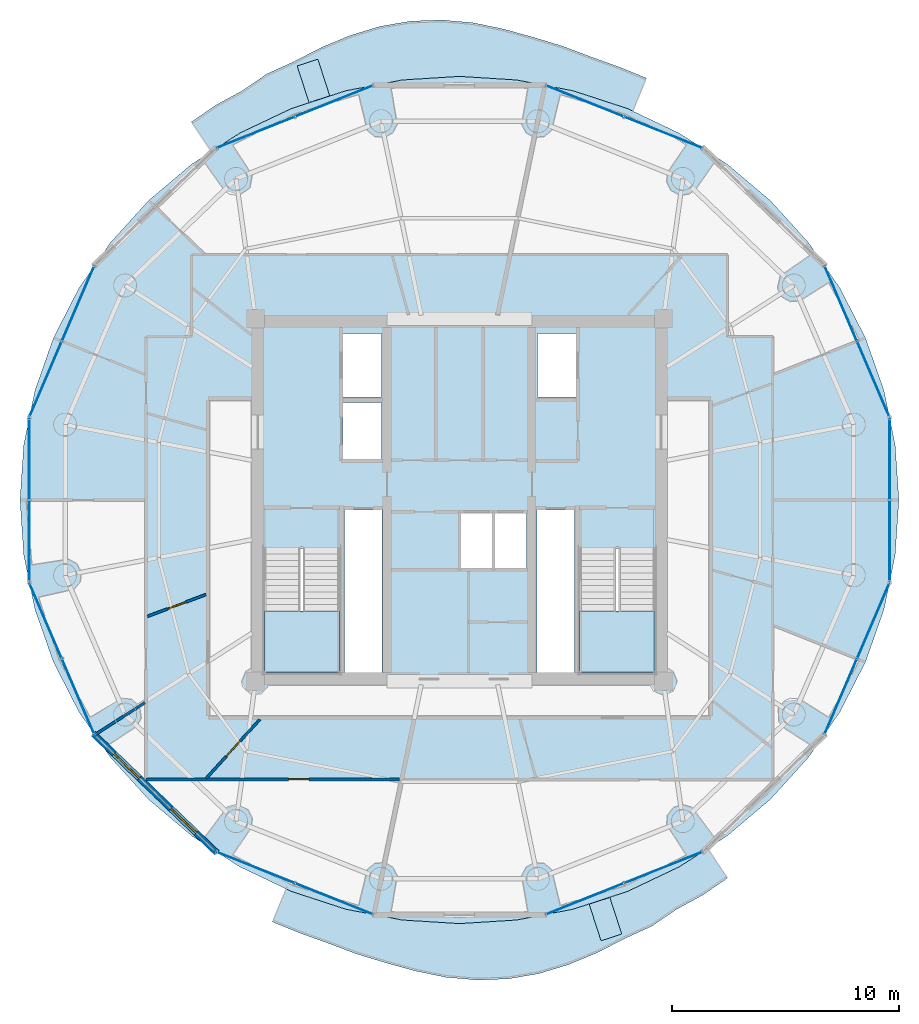
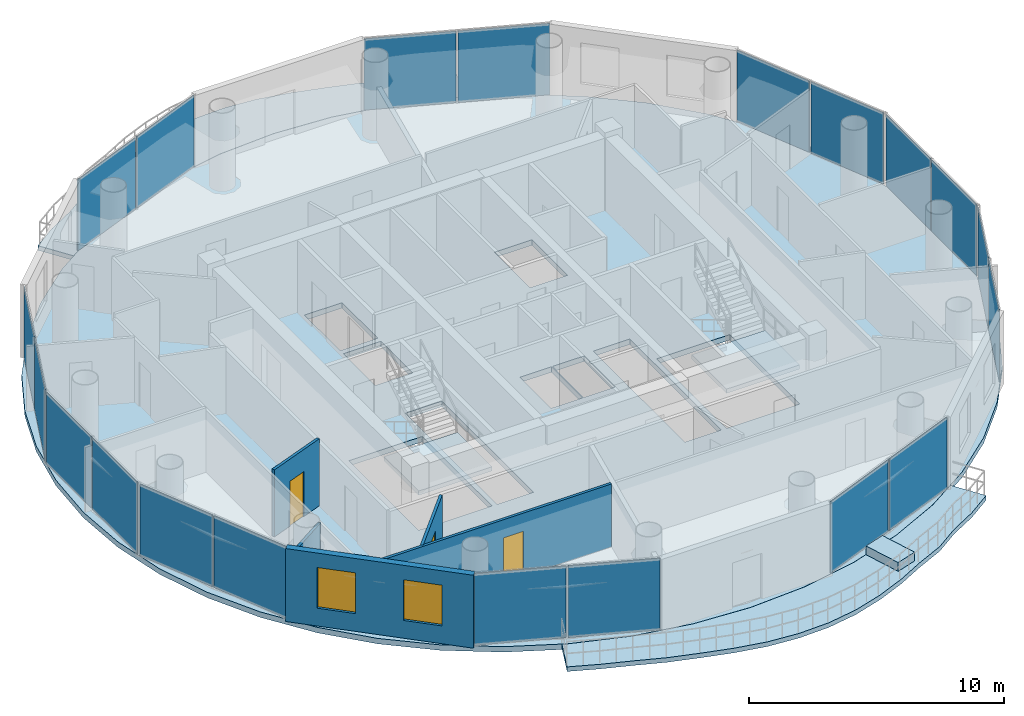
# One storey, part 13 of 21: 20 plates, 7 slabs, 5 walls, 3 doors, 2 windows, 5 openings, 12 elements without a shape of their own.
"""IFC4 building model written with IfcOpenShell, lengths in metres."""

from ifc_helpers import new_model, si_unit, direction, frame, frame_2d, origin, origin_2d, place, context, subcontext, project, spatial, polyline, rectangle, outline, extrude, source, transform, mapped, material, layer, layer_set, type_object, element, fill, aggregate, save


model = new_model("IFC4")

# Units and contexts
model_context = context("Model", 3, precision=1e-05, world=origin(), true_north=direction((-0.2419218956, 0.970295726276)))
body_context = subcontext(model_context, "Body", "Model", "MODEL_VIEW")
ifc_project = project(units=[si_unit("LENGTHUNIT", "METRE"), si_unit("AREAUNIT", "SQUARE_METRE"), si_unit("VOLUMEUNIT", "CUBIC_METRE"), si_unit("PLANEANGLEUNIT", "RADIAN"), si_unit("MASSUNIT", "GRAM", prefix="KILO")], contexts=[model_context])

# Site, building, storey
site_placement = place(None, origin())
site = spatial("IfcSite", under=ifc_project, at=site_placement, CompositionType="ELEMENT")
building_placement = place(site_placement, origin())
building = spatial("IfcBuilding", under=site, at=building_placement, Name="Cobrevalo Terracotta Tower", CompositionType="ELEMENT")
storey_placement = place(building_placement, frame((0.0, 0.0, 281.949951171875)))
storey = spatial("IfcBuildingStorey", under=building, at=storey_placement, Name="L74", CompositionType="ELEMENT", Elevation=281.949951171875)

# Stair, slab
ifc_material_1 = material(Name="Concrete C50", Category="concrete")
stair_type = type_object("IfcStairType", Name="Core protected escape dogleg stair 1600", PredefinedType="HALF_TURN_STAIR", material=ifc_material_1)
stair_1_placement = place(storey_placement, origin())
stair_1 = element("IfcStair", 1, at=stair_1_placement, inside=storey, type_object=stair_type, Name="L74 Protected exit stair ST-1", PredefinedType="HALF_TURN_STAIR")
ifc_layer_1 = layer(ifc_material_1, 0.199951171875)
ifc_layer_set_1 = layer_set([ifc_layer_1], Name="Concrete C50")
slab_type_1 = type_object("IfcSlabType", Name="Reinforced Concrete Stair Landing 200", PredefinedType="LANDING", material=ifc_layer_set_1)
slab_1_placement = place(storey_placement, frame((0.0, 0.0, 1.675048828125)))
slab_1 = element("IfcSlab", 2, at=slab_1_placement, type_object=slab_type_1, Name="ST-1 landing 1", PredefinedType="LANDING", context=body_context, shape_type="SweptSolid", body=[
    extrude(outline(polyline([(29.375, 21.89990234375), (29.375, 19.175048828125), (32.695068359375, 19.175048828125), (32.695068359375, 21.89990234375), (29.375, 21.89990234375)])), origin(), (0.0, 0.0, 1.0), 0.199951171875),
])
aggregate(stair_1, [slab_1])

stair_2_placement = place(storey_placement, origin())
stair_2 = element("IfcStair", 3, at=stair_2_placement, inside=storey, type_object=stair_type, Name="L74 Protected exit stair ST-2", PredefinedType="HALF_TURN_STAIR")
slab_2_placement = place(storey_placement, frame((0.0, 0.0, 1.675048828125)))
slab_2 = element("IfcSlab", 4, at=slab_2_placement, type_object=slab_type_1, Name="ST-2 landing 1", PredefinedType="LANDING", context=body_context, shape_type="SweptSolid", body=[
    extrude(outline(polyline([(43.304931640625, 21.89990234375), (43.304931640625, 19.175048828125), (46.625, 19.175048828125), (46.625, 21.89990234375), (43.304931640625, 21.89990234375)])), origin(), (0.0, 0.0, 1.0), 0.199951171875),
])
aggregate(stair_2, [slab_2])

# Slabs
ifc_material_2 = material(Name="Concrete C45", Category="concrete")
ifc_layer_2 = layer(ifc_material_2, 0.219970703125)
ifc_layer_set_2 = layer_set([ifc_layer_2], Name="Concrete C45")
slab_type_2 = type_object("IfcSlabType", Name="Spiralling cantilevered balcony lobe slab 220 mm", PredefinedType="FLOOR", material=ifc_layer_set_2)
slab_3_placement = place(storey_placement, frame((0.0, 0.0, -0.219970703125)))
element("IfcSlab", 5, at=slab_3_placement, inside=storey, type_object=slab_type_2, Name="L74 spiralling arc balcony slab lobe 1", PredefinedType="FLOOR", context=body_context, shape_type="SweptSolid", body=[
    extrude(outline(polyline([(46.25634765625, 45.425537109375), (45.04052734375, 45.92041015625), (43.79931640625, 46.366455078125), (42.55126953125, 46.836181640625), (41.263916015625, 47.22705078125), (39.95166015625, 47.59033203125), (38.604248046875, 47.869140625), (37.2353515625, 47.989990234375), (35.859619140625, 47.94189453125), (34.505126953125, 47.712646484375), (33.188720703125, 47.310546875), (31.923828125, 46.7890625), (30.714111328125, 46.1640625), (29.502197265625, 45.612548828125), (28.396484375, 44.857421875), (27.244140625, 44.234375), (26.1689453125, 43.4892578125), (27.03466796875, 42.18212890625), (28.299072265625, 42.996337890625), (30.5751953125, 44.078369140625), (32.978271484375, 44.86474609375), (35.467529296875, 45.342041015625), (38.0, 45.501953125), (40.532470703125, 45.342041015625), (43.021728515625, 44.86474609375), (45.4248046875, 44.078369140625), (45.653564453125, 43.9697265625), (46.25634765625, 45.425537109375)])), origin(), (0.0, 0.0, 1.0), 0.219970703125),
])
slab_4_placement = place(storey_placement, frame((0.0, 0.0, -0.219970703125)))
element("IfcSlab", 6, at=slab_4_placement, inside=storey, type_object=slab_type_2, Name="L74 spiralling arc balcony slab lobe 2", PredefinedType="FLOOR", context=body_context, shape_type="SweptSolid", body=[
    extrude(outline(polyline([(29.74365234375, 8.174560546875), (30.95947265625, 7.6796875), (32.20068359375, 7.2333984375), (33.44873046875, 6.763671875), (34.736083984375, 6.373046875), (36.04833984375, 6.009765625), (37.395751953125, 5.73095703125), (38.7646484375, 5.610107421875), (40.140380859375, 5.657958984375), (41.494873046875, 5.887451171875), (42.811279296875, 6.28955078125), (44.076171875, 6.810791015625), (45.285888671875, 7.435791015625), (46.497802734375, 7.987548828125), (47.603515625, 8.742431640625), (48.755859375, 9.365478515625), (49.8310546875, 10.110595703125), (48.96533203125, 11.41796875), (47.700927734375, 10.603515625), (45.4248046875, 9.521484375), (43.021728515625, 8.7353515625), (40.532470703125, 8.258056640625), (38.0, 8.097900390625), (35.467529296875, 8.258056640625), (32.978271484375, 8.7353515625), (30.5751953125, 9.521484375), (30.346435546875, 9.63037109375), (29.74365234375, 8.174560546875)])), origin(), (0.0, 0.0, 1.0), 0.219970703125),
])
ifc_material_3 = material(Name="Precast concrete C45", Category="concrete")
ifc_layer_3 = layer(ifc_material_3, 0.419921875)
ifc_layer_set_3 = layer_set([ifc_layer_3], Name="Precast concrete C45")
slab_type_3 = type_object("IfcSlabType", Name="Structural tree planter trough base 420 mm", PredefinedType="USERDEFINED", material=ifc_layer_set_3)
slab_5_placement = place(storey_placement, origin())
element("IfcSlab", 7, at=slab_5_placement, inside=storey, type_object=slab_type_3, Name="L74 structural tree planter trough 1", ObjectType="PLANTER", PredefinedType="USERDEFINED", context=body_context, shape_type="SweptSolid", body=[
    extrude(outline(polyline([(32.27392578125, 44.6416015625), (31.748779296875, 46.258544921875), (30.835693359375, 45.962158203125), (31.360595703125, 44.34521484375), (32.27392578125, 44.6416015625)])), origin(), (0.0, 0.0, 1.0), 0.420166015625),
])
slab_6_placement = place(storey_placement, origin())
element("IfcSlab", 8, at=slab_6_placement, inside=storey, type_object=slab_type_3, Name="L74 structural tree planter trough 2", ObjectType="PLANTER", PredefinedType="USERDEFINED", context=body_context, shape_type="SweptSolid", body=[
    extrude(outline(polyline([(43.72607421875, 8.95849609375), (44.251220703125, 7.341552734375), (45.164306640625, 7.637939453125), (44.639404296875, 9.2548828125), (43.72607421875, 8.95849609375)])), origin(), (0.0, 0.0, 1.0), 0.420166015625),
])
ifc_layer_4 = layer(ifc_material_2, 0.260009765625)
ifc_layer_set_4 = layer_set([ifc_layer_4], Name="Concrete C45")
slab_type_4 = type_object("IfcSlabType", Name="Zone Z5 elliptical floor plate 260 mm", PredefinedType="FLOOR", material=ifc_layer_set_4)
slab_7_placement = place(storey_placement, frame((0.0, 0.0, -0.260009765625)))
element("IfcSlab", 9, at=slab_7_placement, inside=storey, type_object=slab_type_4, Name="L74 indoor elliptical floor slab", PredefinedType="FLOOR", context=body_context, shape_type="SweptSolid", body=[
    extrude(outline(polyline([(57.234130859375, 24.359130859375), (56.739013671875, 21.9599609375), (55.92333984375, 19.643798828125), (54.80078125, 17.449951171875), (53.39111328125, 15.416259765625), (51.7177734375, 13.5771484375), (49.81005859375, 11.96435546875), (47.699951171875, 10.605224609375), (45.424072265625, 9.5234375), (43.02099609375, 8.7373046875), (40.5322265625, 8.260009765625), (38.0, 8.10009765625), (35.4677734375, 8.260009765625), (32.97900390625, 8.7373046875), (30.575927734375, 9.5234375), (28.300048828125, 10.605224609375), (26.18994140625, 11.96435546875), (24.2822265625, 13.5771484375), (22.60888671875, 15.416259765625), (21.19921875, 17.449951171875), (20.07666015625, 19.643798828125), (19.260986328125, 21.9599609375), (18.765869140625, 24.359130859375), (18.60009765625, 26.800048828125), (18.765869140625, 29.24072265625), (19.260986328125, 31.639892578125), (20.07666015625, 33.956298828125), (21.19921875, 36.14990234375), (22.60888671875, 38.183837890625), (24.2822265625, 40.02294921875), (26.18994140625, 41.6357421875), (28.300048828125, 42.99462890625), (30.575927734375, 44.07666015625), (32.97900390625, 44.86279296875), (35.4677734375, 45.340087890625), (38.0, 45.5), (40.5322265625, 45.340087890625), (43.02099609375, 44.86279296875), (45.424072265625, 44.07666015625), (47.699951171875, 42.99462890625), (49.81005859375, 41.6357421875), (51.7177734375, 40.02294921875), (53.39111328125, 38.183837890625), (54.80078125, 36.14990234375), (55.92333984375, 33.956298828125), (56.739013671875, 31.639892578125), (57.234130859375, 29.24072265625), (57.39990234375, 26.800048828125), (57.234130859375, 24.359130859375)]), holes=[polyline([(32.695068359375, 19.175048828125), (32.695068359375, 24.659912109375), (29.375, 24.659912109375), (29.375, 19.175048828125), (32.695068359375, 19.175048828125)]), polyline([(46.625, 19.175048828125), (46.625, 24.659912109375), (43.304931640625, 24.659912109375), (43.304931640625, 19.175048828125), (46.625, 19.175048828125)]), polyline([(34.574951171875, 26.360107421875), (32.919921875, 26.360107421875), (32.919921875, 19.175048828125), (34.574951171875, 19.175048828125), (34.574951171875, 26.360107421875)]), polyline([(43.080078125, 26.360107421875), (41.425048828125, 26.360107421875), (41.425048828125, 19.175048828125), (43.080078125, 19.175048828125), (43.080078125, 26.360107421875)]), polyline([(39.469970703125, 26.25), (38.0400390625, 26.25), (38.0400390625, 23.800048828125), (39.469970703125, 23.800048828125), (39.469970703125, 26.25)]), polyline([(40.949951171875, 26.25), (39.52001953125, 26.25), (39.52001953125, 23.800048828125), (40.949951171875, 23.800048828125), (40.949951171875, 26.25)]), polyline([(34.550048828125, 31.10009765625), (32.85009765625, 31.10009765625), (32.85009765625, 28.60009765625), (34.550048828125, 28.60009765625), (34.550048828125, 31.10009765625)]), polyline([(34.550048828125, 31.35009765625), (34.550048828125, 34.14990234375), (32.85009765625, 34.14990234375), (32.85009765625, 31.35009765625), (34.550048828125, 31.35009765625)]), polyline([(43.14990234375, 31.35009765625), (43.14990234375, 34.14990234375), (41.449951171875, 34.14990234375), (41.449951171875, 31.35009765625), (43.14990234375, 31.35009765625)])]), origin(), (0.0, 0.0, 1.0), 0.260009765625),
])

# Curtain wall, plates
ifc_material_4 = material(Name="Anodized aluminium", Category="aluminium")
curtain_wall_type = type_object("IfcCurtainWallType", Name="Upper-tower triple-glazed penthouse curtain wall CW-U3", PredefinedType="NOTDEFINED", material=ifc_material_4)
curtain_wall_1_placement = place(storey_placement, origin())
curtain_wall_1 = element("IfcCurtainWall", 10, at=curtain_wall_1_placement, inside=storey, type_object=curtain_wall_type, Name="L74 curtain wall CW-L74-S03", PredefinedType="NOTDEFINED")
ifc_material_5 = material(Name="Solar-control low-E double glazing", Category="glass")
ifc_layer_5 = layer(ifc_material_5, 0.028076171875)
ifc_layer_set_5 = layer_set([ifc_layer_5], Name="Solar-control low-E double glazing")
plate_type = type_object("IfcPlateType", Name="Tower solar-control low-E vision glass panel 28 mm", PredefinedType="CURTAIN_PANEL", material=ifc_layer_set_5)
shared_shape_1 = source(origin(), body_context, "Body", "SweptSolid", [
    extrude(rectangle(XDim=3.63916015625, YDim=0.035888671875, at=origin_2d()), origin(), (0.0, 0.0, 1.0), 3.409912109375),
])
plate_1_placement = place(storey_placement, frame((46.997314453125, 43.02783203125, 0.0400390625), z_axis=(0.0, 0.0, 1.0), x_axis=(-0.92871833374, 0.370785998353, 0.0)))
plate_1 = element("IfcPlate", 11, at=plate_1_placement, type_object=plate_type, Name="CW-L74-S03 glazing panel B01", PredefinedType="CURTAIN_PANEL", context=body_context, shape_type="MappedRepresentation", body=[
    mapped(shared_shape_1, transform((0.0, 0.0, 0.0), scale=1.0)),
])
plate_2_placement = place(storey_placement, frame((43.543212890625, 44.406982421875, 0.0400390625), z_axis=(0.0, 0.0, 1.0), x_axis=(-0.92871833374, 0.370785998353, 0.0)))
plate_2 = element("IfcPlate", 12, at=plate_2_placement, type_object=plate_type, Name="CW-L74-S03 glazing panel B02", PredefinedType="CURTAIN_PANEL", context=body_context, shape_type="MappedRepresentation", body=[
    mapped(shared_shape_1, transform((0.0, 0.0, 0.0), scale=1.0)),
])
aggregate(curtain_wall_1, [plate_1, plate_2])

curtain_wall_2_placement = place(storey_placement, origin())
curtain_wall_2 = element("IfcCurtainWall", 13, at=curtain_wall_2_placement, inside=storey, type_object=curtain_wall_type, Name="L74 curtain wall CW-L74-S05", PredefinedType="NOTDEFINED")
plate_3_placement = place(storey_placement, frame((32.456787109375, 44.406982421875, 0.0400390625), z_axis=(0.0, 0.0, 1.0), x_axis=(-0.92871833374, -0.370785998353, 0.0)))
plate_3 = element("IfcPlate", 14, at=plate_3_placement, type_object=plate_type, Name="CW-L74-S05 glazing panel B01", PredefinedType="CURTAIN_PANEL", context=body_context, shape_type="MappedRepresentation", body=[
    mapped(shared_shape_1, transform((0.0, 0.0, 0.0), scale=1.0)),
])
plate_4_placement = place(storey_placement, frame((29.002685546875, 43.02783203125, 0.0400390625), z_axis=(0.0, 0.0, 1.0), x_axis=(-0.92871833374, -0.370785998353, 0.0)))
plate_4 = element("IfcPlate", 15, at=plate_4_placement, type_object=plate_type, Name="CW-L74-S05 glazing panel B02", PredefinedType="CURTAIN_PANEL", context=body_context, shape_type="MappedRepresentation", body=[
    mapped(shared_shape_1, transform((0.0, 0.0, 0.0), scale=1.0)),
])
aggregate(curtain_wall_2, [plate_3, plate_4])

curtain_wall_3_placement = place(storey_placement, origin())
curtain_wall_3 = element("IfcCurtainWall", 16, at=curtain_wall_3_placement, inside=storey, type_object=curtain_wall_type, Name="L74 curtain wall CW-L74-S11", PredefinedType="NOTDEFINED")
plate_5_placement = place(storey_placement, frame((29.002685546875, 10.572021484375, 0.0400390625), z_axis=(0.0, 0.0, 1.0), x_axis=(0.92871833374, -0.370785998353, 0.0)))
plate_5 = element("IfcPlate", 17, at=plate_5_placement, type_object=plate_type, Name="CW-L74-S11 glazing panel B01", PredefinedType="CURTAIN_PANEL", context=body_context, shape_type="MappedRepresentation", body=[
    mapped(shared_shape_1, transform((0.0, 0.0, 0.0), scale=1.0)),
])
plate_6_placement = place(storey_placement, frame((32.456787109375, 9.193115234375, 0.0400390625), z_axis=(0.0, 0.0, 1.0), x_axis=(0.92871833374, -0.370785998353, 0.0)))
plate_6 = element("IfcPlate", 18, at=plate_6_placement, type_object=plate_type, Name="CW-L74-S11 glazing panel B02", PredefinedType="CURTAIN_PANEL", context=body_context, shape_type="MappedRepresentation", body=[
    mapped(shared_shape_1, transform((0.0, 0.0, 0.0), scale=1.0)),
])
aggregate(curtain_wall_3, [plate_5, plate_6])

curtain_wall_4_placement = place(storey_placement, origin())
curtain_wall_4 = element("IfcCurtainWall", 19, at=curtain_wall_4_placement, inside=storey, type_object=curtain_wall_type, Name="L74 curtain wall CW-L74-S13", PredefinedType="NOTDEFINED")
plate_7_placement = place(storey_placement, frame((43.543212890625, 9.193115234375, 0.0400390625), z_axis=(0.0, 0.0, 1.0), x_axis=(0.92871833374, 0.370785998353, 0.0)))
plate_7 = element("IfcPlate", 20, at=plate_7_placement, type_object=plate_type, Name="CW-L74-S13 glazing panel B01", PredefinedType="CURTAIN_PANEL", context=body_context, shape_type="MappedRepresentation", body=[
    mapped(shared_shape_1, transform((0.0, 0.0, 0.0), scale=1.0)),
])
plate_8_placement = place(storey_placement, frame((46.997314453125, 10.572021484375, 0.0400390625), z_axis=(0.0, 0.0, 1.0), x_axis=(0.92871833374, 0.370785998353, 0.0)))
plate_8 = element("IfcPlate", 21, at=plate_8_placement, type_object=plate_type, Name="CW-L74-S13 glazing panel B02", PredefinedType="CURTAIN_PANEL", context=body_context, shape_type="MappedRepresentation", body=[
    mapped(shared_shape_1, transform((0.0, 0.0, 0.0), scale=1.0)),
])
aggregate(curtain_wall_4, [plate_7, plate_8])

curtain_wall_5_placement = place(storey_placement, origin())
curtain_wall_5 = element("IfcCurtainWall", 22, at=curtain_wall_5_placement, inside=storey, type_object=curtain_wall_type, Name="L74 curtain wall CW-L74-S01", PredefinedType="NOTDEFINED")
shared_shape_2 = source(origin(), body_context, "Body", "SweptSolid", [
    extrude(rectangle(XDim=3.542724609375, YDim=0.035888671875, at=origin_2d()), origin(), (0.0, 0.0, 1.0), 3.409912109375),
])
plate_9_placement = place(storey_placement, frame((56.266845703125, 32.143310546875, 0.0400390625), z_axis=(0.0, 0.0, 1.0), x_axis=(-0.394828845134, 0.918754691444, 0.0)))
plate_9 = element("IfcPlate", 23, at=plate_9_placement, type_object=plate_type, Name="CW-L74-S01 glazing panel B01", PredefinedType="CURTAIN_PANEL", context=body_context, shape_type="MappedRepresentation", body=[
    mapped(shared_shape_2, transform((0.0, 0.0, 0.0), scale=1.0)),
])
plate_10_placement = place(storey_placement, frame((54.83642578125, 35.4716796875, 0.0400390625), z_axis=(0.0, 0.0, 1.0), x_axis=(-0.394828845134, 0.918754691444, 0.0)))
plate_10 = element("IfcPlate", 24, at=plate_10_placement, type_object=plate_type, Name="CW-L74-S01 glazing panel B02", PredefinedType="CURTAIN_PANEL", context=body_context, shape_type="MappedRepresentation", body=[
    mapped(shared_shape_2, transform((0.0, 0.0, 0.0), scale=1.0)),
])
aggregate(curtain_wall_5, [plate_9, plate_10])

curtain_wall_6_placement = place(storey_placement, origin())
curtain_wall_6 = element("IfcCurtainWall", 25, at=curtain_wall_6_placement, inside=storey, type_object=curtain_wall_type, Name="L74 curtain wall CW-L74-S07", PredefinedType="NOTDEFINED")
plate_11_placement = place(storey_placement, frame((21.16357421875, 35.4716796875, 0.0400390625), z_axis=(0.0, 0.0, 1.0), x_axis=(-0.394828845134, -0.918754691444, 0.0)))
plate_11 = element("IfcPlate", 26, at=plate_11_placement, type_object=plate_type, Name="CW-L74-S07 glazing panel B01", PredefinedType="CURTAIN_PANEL", context=body_context, shape_type="MappedRepresentation", body=[
    mapped(shared_shape_2, transform((0.0, 0.0, 0.0), scale=1.0)),
])
plate_12_placement = place(storey_placement, frame((19.733154296875, 32.143310546875, 0.0400390625), z_axis=(0.0, 0.0, 1.0), x_axis=(-0.394828845134, -0.918754691444, 0.0)))
plate_12 = element("IfcPlate", 27, at=plate_12_placement, type_object=plate_type, Name="CW-L74-S07 glazing panel B02", PredefinedType="CURTAIN_PANEL", context=body_context, shape_type="MappedRepresentation", body=[
    mapped(shared_shape_2, transform((0.0, 0.0, 0.0), scale=1.0)),
])
aggregate(curtain_wall_6, [plate_11, plate_12])

curtain_wall_7_placement = place(storey_placement, origin())
curtain_wall_7 = element("IfcCurtainWall", 28, at=curtain_wall_7_placement, inside=storey, type_object=curtain_wall_type, Name="L74 curtain wall CW-L74-S09", PredefinedType="NOTDEFINED")
plate_13_placement = place(storey_placement, frame((19.733154296875, 21.456787109375, 0.0400390625), z_axis=(0.0, 0.0, 1.0), x_axis=(0.394828845134, -0.918754691444, 0.0)))
plate_13 = element("IfcPlate", 29, at=plate_13_placement, type_object=plate_type, Name="CW-L74-S09 glazing panel B01", PredefinedType="CURTAIN_PANEL", context=body_context, shape_type="MappedRepresentation", body=[
    mapped(shared_shape_2, transform((0.0, 0.0, 0.0), scale=1.0)),
])
plate_14_placement = place(storey_placement, frame((21.16357421875, 18.12841796875, 0.0400390625), z_axis=(0.0, 0.0, 1.0), x_axis=(0.394828845134, -0.918754691444, 0.0)))
plate_14 = element("IfcPlate", 30, at=plate_14_placement, type_object=plate_type, Name="CW-L74-S09 glazing panel B02", PredefinedType="CURTAIN_PANEL", context=body_context, shape_type="MappedRepresentation", body=[
    mapped(shared_shape_2, transform((0.0, 0.0, 0.0), scale=1.0)),
])
aggregate(curtain_wall_7, [plate_13, plate_14])

curtain_wall_8_placement = place(storey_placement, origin())
curtain_wall_8 = element("IfcCurtainWall", 31, at=curtain_wall_8_placement, inside=storey, type_object=curtain_wall_type, Name="L74 curtain wall CW-L74-S15", PredefinedType="NOTDEFINED")
plate_15_placement = place(storey_placement, frame((54.83642578125, 18.12841796875, 0.0400390625), z_axis=(0.0, 0.0, 1.0), x_axis=(0.394828845134, 0.918754691444, 0.0)))
plate_15 = element("IfcPlate", 32, at=plate_15_placement, type_object=plate_type, Name="CW-L74-S15 glazing panel B01", PredefinedType="CURTAIN_PANEL", context=body_context, shape_type="MappedRepresentation", body=[
    mapped(shared_shape_2, transform((0.0, 0.0, 0.0), scale=1.0)),
])
plate_16_placement = place(storey_placement, frame((56.266845703125, 21.456787109375, 0.0400390625), z_axis=(0.0, 0.0, 1.0), x_axis=(0.394828845134, 0.918754691444, 0.0)))
plate_16 = element("IfcPlate", 33, at=plate_16_placement, type_object=plate_type, Name="CW-L74-S15 glazing panel B02", PredefinedType="CURTAIN_PANEL", context=body_context, shape_type="MappedRepresentation", body=[
    mapped(shared_shape_2, transform((0.0, 0.0, 0.0), scale=1.0)),
])
aggregate(curtain_wall_8, [plate_15, plate_16])

curtain_wall_9_placement = place(storey_placement, origin())
curtain_wall_9 = element("IfcCurtainWall", 34, at=curtain_wall_9_placement, inside=storey, type_object=curtain_wall_type, Name="L74 curtain wall CW-L74-S08", PredefinedType="NOTDEFINED")
shared_shape_3 = source(origin(), body_context, "Body", "SweptSolid", [
    extrude(rectangle(XDim=3.522216796875, YDim=0.035888671875, at=origin_2d()), origin(), (0.0, 0.0, 1.0), 3.409912109375),
])
plate_17_placement = place(storey_placement, frame((19.002197265625, 28.60107421875, 0.0400390625), z_axis=(0.0, 0.0, 1.0), x_axis=(0.0, -1.0, 0.0)))
plate_17 = element("IfcPlate", 35, at=plate_17_placement, type_object=plate_type, Name="CW-L74-S08 glazing panel B01", PredefinedType="CURTAIN_PANEL", context=body_context, shape_type="MappedRepresentation", body=[
    mapped(shared_shape_3, transform((0.0, 0.0, 0.0), scale=1.0)),
])
plate_18_placement = place(storey_placement, frame((19.002197265625, 24.998779296875, 0.0400390625), z_axis=(0.0, 0.0, 1.0), x_axis=(0.0, -1.0, 0.0)))
plate_18 = element("IfcPlate", 36, at=plate_18_placement, type_object=plate_type, Name="CW-L74-S08 glazing panel B02", PredefinedType="CURTAIN_PANEL", context=body_context, shape_type="MappedRepresentation", body=[
    mapped(shared_shape_3, transform((0.0, 0.0, 0.0), scale=1.0)),
])
aggregate(curtain_wall_9, [plate_17, plate_18])

curtain_wall_10_placement = place(storey_placement, origin())
curtain_wall_10 = element("IfcCurtainWall", 37, at=curtain_wall_10_placement, inside=storey, type_object=curtain_wall_type, Name="L74 curtain wall CW-L74-S16", PredefinedType="NOTDEFINED")
plate_19_placement = place(storey_placement, frame((56.997802734375, 24.998779296875, 0.0400390625), z_axis=(0.0, 0.0, 1.0), x_axis=(0.0, 1.0, 0.0)))
plate_19 = element("IfcPlate", 38, at=plate_19_placement, type_object=plate_type, Name="CW-L74-S16 glazing panel B01", PredefinedType="CURTAIN_PANEL", context=body_context, shape_type="MappedRepresentation", body=[
    mapped(shared_shape_3, transform((0.0, 0.0, 0.0), scale=1.0)),
])
plate_20_placement = place(storey_placement, frame((56.997802734375, 28.60107421875, 0.0400390625), z_axis=(0.0, 0.0, 1.0), x_axis=(0.0, 1.0, 0.0)))
plate_20 = element("IfcPlate", 39, at=plate_20_placement, type_object=plate_type, Name="CW-L74-S16 glazing panel B02", PredefinedType="CURTAIN_PANEL", context=body_context, shape_type="MappedRepresentation", body=[
    mapped(shared_shape_3, transform((0.0, 0.0, 0.0), scale=1.0)),
])
aggregate(curtain_wall_10, [plate_19, plate_20])

# Wall, openings, windows
ifc_material_6 = material(Name="Autoclaved aerated concrete block", Category="concrete")
ifc_layer_6 = layer(ifc_material_6, 0.280029296875)
ifc_layer_set_6 = layer_set([ifc_layer_6], Name="Autoclaved aerated concrete block")
wall_type_1 = type_object("IfcWallType", Name="Insulated tower spandrel & pier wall 280 mm with terracotta rainscreen", PredefinedType="SOLIDWALL", material=ifc_layer_set_6)
wall_1_placement = place(storey_placement, frame((21.8369140625, 16.48291015625, 0.0), z_axis=(0.0, 0.0, 1.0), x_axis=(0.719995397366, -0.69397883813, 0.0)))
wall_1 = element("IfcWall", 40, at=wall_1_placement, inside=storey, type_object=wall_type_1, Name="L74 terracotta rainscreen pier wall S10", PredefinedType="SOLIDWALL", context=body_context, shape_type="SweptSolid", body=[
    extrude(rectangle(XDim=7.582275390625, YDim=0.280029296875, at=frame_2d((3.791015625, 0.0))), origin(), (0.0, 0.0, 1.0), 3.489990234375),
])
opening_1_placement = place(wall_1_placement, frame((1.272216796875, 0.0, 0.85009765625)))
opening_1 = element("IfcOpeningElement", 41, at=opening_1_placement, cuts=wall_1, Name="Opening WN-12", PredefinedType="OPENING", context=body_context, shape_type="SweptSolid", body=[
    extrude(rectangle(XDim=1.550048828125, YDim=1.949951171875, at=frame_2d((0.77490234375, 0.97509765625))), frame((0.0, 0.14990234375, 0.0), z_axis=(0.0, -1.0, 0.0), x_axis=(1.0, 0.0, 0.0)), (0.0, 0.0, 1.0), 0.300048828125),
])
opening_2_placement = place(wall_1_placement, frame((4.76025390625, 0.0, 0.85009765625)))
opening_2 = element("IfcOpeningElement", 42, at=opening_2_placement, cuts=wall_1, Name="Opening WN-12", PredefinedType="OPENING", context=body_context, shape_type="SweptSolid", body=[
    extrude(rectangle(XDim=1.550048828125, YDim=1.949951171875, at=frame_2d((0.77490234375, 0.97509765625))), frame((0.0, 0.14990234375, 0.0), z_axis=(0.0, -1.0, 0.0), x_axis=(1.0, 0.0, 0.0)), (0.0, 0.0, 1.0), 0.300048828125),
])
window_type = type_object("IfcWindowType", Name="Solar-control low-E aluminium window 1550x1950", PartitioningType="SINGLE_PANEL", PredefinedType="WINDOW", material=ifc_material_5)
shared_shape_4 = source(origin(), body_context, "Body", "SweptSolid", [
    extrude(rectangle(XDim=1.550048828125, YDim=1.949951171875, at=frame_2d((0.77490234375, 0.97509765625))), frame((0.0, 0.030029296875, 0.0), z_axis=(0.0, -1.0, 0.0), x_axis=(1.0, 0.0, 0.0)), (0.0, 0.0, 1.0), 0.06005859375),
])
window_1_placement = place(opening_1_placement, origin())
window_1 = element("IfcWindow", 43, at=window_1_placement, inside=storey, type_object=window_type, Name="L74 suite window S10A", OverallHeight=1.949951171875, OverallWidth=1.550048828125, PartitioningType="SINGLE_PANEL", PredefinedType="WINDOW", context=body_context, shape_type="MappedRepresentation", body=[
    mapped(shared_shape_4, transform((0.0, 0.0, 0.0), scale=1.0)),
])
fill(opening_1, window_1)
window_2_placement = place(opening_2_placement, origin())
window_2 = element("IfcWindow", 44, at=window_2_placement, inside=storey, type_object=window_type, Name="L74 suite window S10B", OverallHeight=1.949951171875, OverallWidth=1.550048828125, PartitioningType="SINGLE_PANEL", PredefinedType="WINDOW", context=body_context, shape_type="MappedRepresentation", body=[
    mapped(shared_shape_4, transform((0.0, 0.0, 0.0), scale=1.0)),
])
fill(opening_2, window_2)

# Wall, opening, door
ifc_material_7 = material(Name="Gypsum board on steel stud", Category="steel")
ifc_layer_7 = layer(ifc_material_7, 0.1201171875)
ifc_layer_set_7 = layer_set([ifc_layer_7], Name="Gypsum board on steel stud")
wall_type_2 = type_object("IfcWallType", Name="Residential internal acoustic stud partition 120 mm", PredefinedType="PARTITIONING", material=ifc_layer_set_7)
wall_2_placement = place(storey_placement, frame((35.3525390625, 14.465087890625, 0.0), z_axis=(0.0, 0.0, 1.0), x_axis=(-1.0, 0.0, 0.0)))
wall_2 = element("IfcWall", 45, at=wall_2_placement, inside=storey, type_object=wall_type_2, Name="L74 interior partition IW-L74-U1-RING0_0", PredefinedType="PARTITIONING", context=body_context, shape_type="SweptSolid", body=[
    extrude(rectangle(XDim=11.1875, YDim=0.1201171875, at=frame_2d((5.59375, 0.0))), origin(), (0.0, 0.0, 1.0), 3.01513671875),
])
opening_3_placement = place(wall_2_placement, frame((3.997314453125, 0.0, 0.0)))
opening_3 = element("IfcOpeningElement", 46, at=opening_3_placement, cuts=wall_2, Name="Opening ID-12", PredefinedType="OPENING", context=body_context, shape_type="SweptSolid", body=[
    extrude(rectangle(XDim=0.89990234375, YDim=2.14990234375, at=frame_2d((0.449951171875, 1.074951171875))), frame((0.0, 0.070068359375, 0.0), z_axis=(0.0, -1.0, 0.0), x_axis=(1.0, 0.0, 0.0)), (0.0, 0.0, 1.0), 0.14013671875),
])
ifc_material_8 = material(Name="Engineered timber", Category="wood")
door_type_1 = type_object("IfcDoorType", Name="Internal residence & suite timber door 900x2150", OperationType="NOTDEFINED", PredefinedType="DOOR", material=ifc_material_8)
shared_shape_5 = source(origin(), body_context, "Body", "SweptSolid", [
    extrude(rectangle(XDim=0.89990234375, YDim=2.14990234375, at=frame_2d((0.449951171875, 1.074951171875))), frame((0.0, 0.02490234375, 0.0), z_axis=(0.0, -1.0, 0.0), x_axis=(1.0, 0.0, 0.0)), (0.0, 0.0, 1.0), 0.050048828125),
])
door_1_placement = place(opening_3_placement, origin())
door_1 = element("IfcDoor", 47, at=door_1_placement, inside=storey, type_object=door_type_1, Name="Flat L74A Private Cinema Room internal door", OperationType="SINGLE_SWING_RIGHT", OverallHeight=2.14990234375, OverallWidth=0.89990234375, PredefinedType="DOOR", context=body_context, shape_type="MappedRepresentation", body=[
    mapped(shared_shape_5, transform((0.0, 0.0, 0.0), scale=1.0)),
])
fill(opening_3, door_1)

# Wall
wall_3_placement = place(storey_placement, frame((24.11279296875, 17.855712890625, 0.0), z_axis=(0.0, 0.0, 1.0), x_axis=(-0.840708587197, -0.54148783127, 0.0)))
element("IfcWall", 48, at=wall_3_placement, inside=storey, type_object=wall_type_2, Name="L74 interior partition IW-L74-U1-ORAD3", PredefinedType="PARTITIONING", context=body_context, shape_type="SweptSolid", body=[
    extrude(rectangle(XDim=2.567626953125, YDim=0.1201171875, at=frame_2d((1.28369140625, 0.0))), origin(), (0.0, 0.0, 1.0), 3.01513671875),
])

# Wall, opening, door
wall_4_placement = place(storey_placement, frame((26.81494140625, 22.62890625, 0.0), z_axis=(0.0, 0.0, 1.0), x_axis=(-0.93696600231, -0.349420535338, 0.0)))
wall_4 = element("IfcWall", 49, at=wall_4_placement, inside=storey, type_object=wall_type_2, Name="L74 interior partition IW-L74-U1-IRAD4", PredefinedType="PARTITIONING", context=body_context, shape_type="SweptSolid", body=[
    extrude(rectangle(XDim=2.76611328125, YDim=0.1201171875, at=frame_2d((1.383056640625, 0.0))), origin(), (0.0, 0.0, 1.0), 3.208984375),
])
opening_4_placement = place(wall_4_placement, frame((0.953125, 0.0, 0.0)))
opening_4 = element("IfcOpeningElement", 50, at=opening_4_placement, cuts=wall_4, Name="Opening ID-19", PredefinedType="OPENING", context=body_context, shape_type="SweptSolid", body=[
    extrude(rectangle(XDim=0.860107421875, YDim=2.14990234375, at=frame_2d((0.43017578125, 1.074951171875))), frame((0.0, 0.070068359375, 0.0), z_axis=(0.0, -1.0, 0.0), x_axis=(1.0, 0.0, 0.0)), (0.0, 0.0, 1.0), 0.14013671875),
])
ifc_material_9 = material(Name="Moisture-sealed timber", Category="wood")
door_type_2 = type_object("IfcDoorType", Name="Suite bathroom internal timber door 860x2150", OperationType="NOTDEFINED", PredefinedType="DOOR", material=ifc_material_9)
shared_shape_6 = source(origin(), body_context, "Body", "SweptSolid", [
    extrude(rectangle(XDim=0.860107421875, YDim=2.14990234375, at=frame_2d((0.43017578125, 1.074951171875))), frame((0.0, 0.02490234375, 0.0), z_axis=(0.0, -1.0, 0.0), x_axis=(1.0, 0.0, 0.0)), (0.0, 0.0, 1.0), 0.050048828125),
])
door_2_placement = place(opening_4_placement, frame((0.860107421875, 0.0, 0.0), z_axis=(0.0, 0.0, 1.0), x_axis=(-1.0, 0.0, 0.0)))
door_2 = element("IfcDoor", 51, at=door_2_placement, inside=storey, type_object=door_type_2, Name="Flat L74A Primary Bathroom internal door", OperationType="SINGLE_SWING_LEFT", OverallHeight=2.14990234375, OverallWidth=0.860107421875, PredefinedType="DOOR", context=body_context, shape_type="MappedRepresentation", body=[
    mapped(shared_shape_6, transform((0.0, 0.0, 0.0), scale=1.0)),
])
fill(opening_4, door_2)

wall_5_placement = place(storey_placement, frame((29.1884765625, 17.114990234375, 0.0), z_axis=(0.0, 0.0, 1.0), x_axis=(-0.67292817107, -0.739707831904, 0.0)))
wall_5 = element("IfcWall", 52, at=wall_5_placement, inside=storey, type_object=wall_type_2, Name="L74 interior partition IW-L74-U1-IRAD5", PredefinedType="PARTITIONING", context=body_context, shape_type="SweptSolid", body=[
    extrude(rectangle(XDim=3.520751953125, YDim=0.1201171875, at=frame_2d((1.76025390625, 0.0))), origin(), (0.0, 0.0, 1.0), 3.01513671875),
])
opening_5_placement = place(wall_5_placement, frame((1.310302734375, 0.0, 0.0)))
opening_5 = element("IfcOpeningElement", 53, at=opening_5_placement, cuts=wall_5, Name="Opening ID-12", PredefinedType="OPENING", context=body_context, shape_type="SweptSolid", body=[
    extrude(rectangle(XDim=0.89990234375, YDim=2.14990234375, at=frame_2d((0.449951171875, 1.074951171875))), frame((0.0, 0.070068359375, 0.0), z_axis=(0.0, -1.0, 0.0), x_axis=(1.0, 0.0, 0.0)), (0.0, 0.0, 1.0), 0.14013671875),
])
door_3_placement = place(opening_5_placement, origin())
door_3 = element("IfcDoor", 54, at=door_3_placement, inside=storey, type_object=door_type_1, Name="Flat L74A Kitchen internal door", OperationType="SINGLE_SWING_RIGHT", OverallHeight=2.14990234375, OverallWidth=0.89990234375, PredefinedType="DOOR", context=body_context, shape_type="MappedRepresentation", body=[
    mapped(shared_shape_5, transform((0.0, 0.0, 0.0), scale=1.0)),
])
fill(opening_5, door_3)

save(model, "model.ifc")
